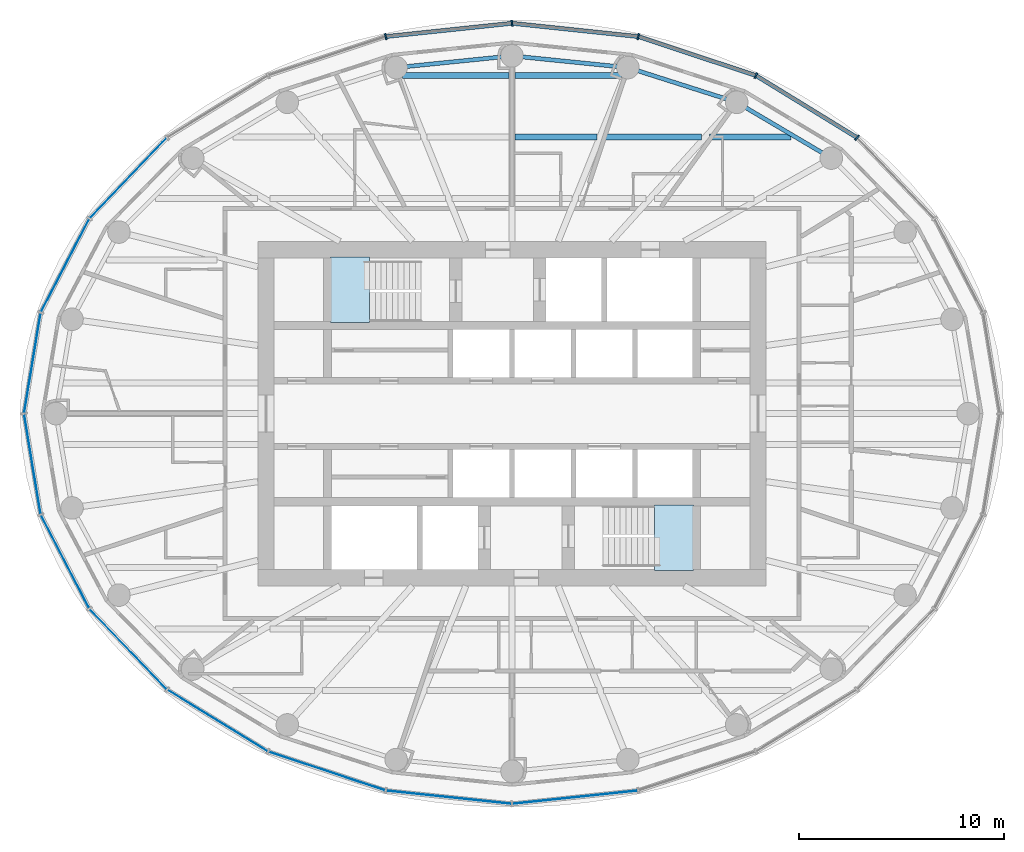
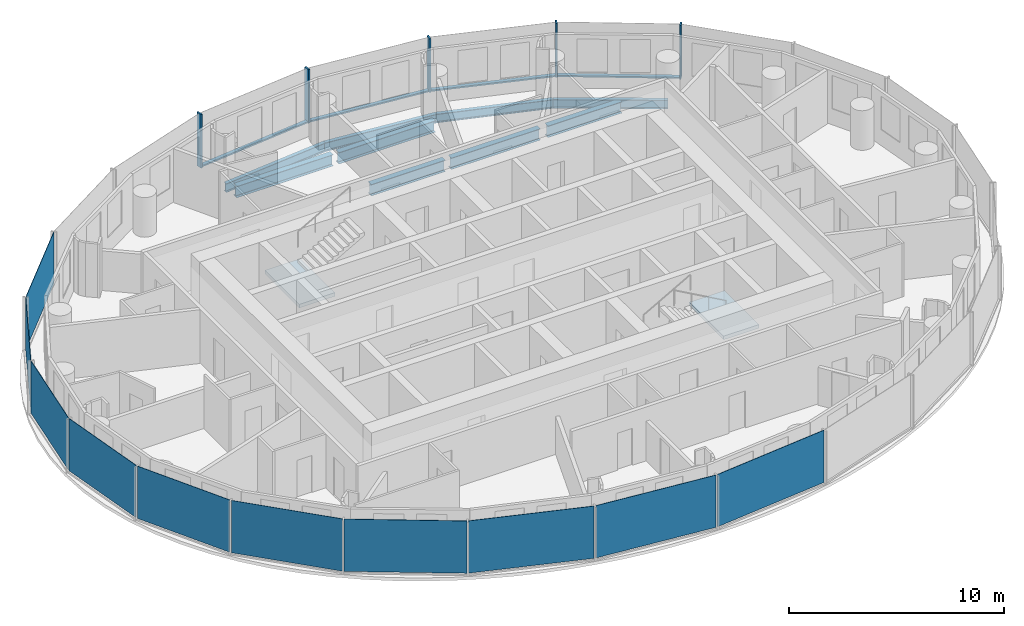
# One storey, part 4 of 14: 10 plates, 9 beams, 9 members, 2 slabs, 6 elements without a shape of their own.
"""IFC4 building model written with IfcOpenShell, lengths in metres."""

import ifcopenshell
import ifcopenshell.guid

model = None  # the IFC model being written
_history = None  # IfcOwnerHistory: only IFC2X3 demands one
_inside = {}  # id of a spatial element -> (the spatial element, [elements in it])
_under = {}  # id of a project, library or spatial element -> (it, [spatial elements below it])
_declared = {}  # id of a project -> (the project, [libraries it declares])
_typed = {}  # id of a type object -> (the type object, [elements of that type])
_made_of = {}  # id of a material, layer set ... -> (it, [elements and type objects made of it])


def new_model(schema):
    """Start an empty IFC model of exactly this schema.

    Asked for "IFC4X3", IfcOpenShell would pick the latest addendum, in which some entities
    have other attributes; the version numbers below select the first issue.
    IFC2X3 requires an IfcOwnerHistory on every rooted entity: one is made here for all.
    """
    global model, _history
    if schema == "IFC4X3":
        model = ifcopenshell.file(schema_version=(4, 3, 0, 0))
    else:
        model = ifcopenshell.file(schema=schema)
    _inside.clear()
    _under.clear()
    _declared.clear()
    _typed.clear()
    _made_of.clear()
    _history = None
    if model.schema == "IFC2X3":
        org = make("IfcOrganization", Name="unknown")
        user = make(
            "IfcPersonAndOrganization",
            ThePerson=make("IfcPerson", FamilyName="unknown"),
            TheOrganization=org,
        )
        app = make(
            "IfcApplication",
            ApplicationDeveloper=org,
            Version="unknown",
            ApplicationFullName="unknown",
            ApplicationIdentifier="unknown",
        )
        _history = make(
            "IfcOwnerHistory",
            OwningUser=user,
            OwningApplication=app,
            ChangeAction="ADDED",
            CreationDate=0,
        )
    return model


def make(cls, **values):
    """One entity of the class cls with the attributes given. An attribute that is None is left unset."""
    return model.create_entity(
        cls, **{name: value for name, value in values.items() if value is not None}
    )


def rooted(cls, **values):
    """An entity with a GlobalId (a new one), such as an element, a storey or a relation."""
    return make(cls, GlobalId=ifcopenshell.guid.new(), OwnerHistory=_history, **values)


def si_unit(unit_type, name, prefix=None):
    """IfcSIUnit, for example si_unit("LENGTHUNIT", "METRE", prefix="MILLI")."""
    return make("IfcSIUnit", UnitType=unit_type, Prefix=prefix, Name=name)


def assignment(units):
    """IfcUnitAssignment: the units of a project."""
    return None if units is None else make("IfcUnitAssignment", Units=units)


def point(xyz):
    """IfcCartesianPoint."""
    return None if xyz is None else make("IfcCartesianPoint", Coordinates=xyz)


def direction(xyz):
    """IfcDirection."""
    return None if xyz is None else make("IfcDirection", DirectionRatios=xyz)


def frame(location, z_axis=None, x_axis=None):
    """IfcAxis2Placement3D, a coordinate frame: its origin and axes. An axis left out is left unset."""
    return make(
        "IfcAxis2Placement3D",
        Location=point(location),
        Axis=direction(z_axis),
        RefDirection=direction(x_axis),
    )


def frame_2d(location, x_axis=None):
    """IfcAxis2Placement2D, a coordinate frame in the plane: its origin and x axis."""
    return make(
        "IfcAxis2Placement2D", Location=point(location), RefDirection=direction(x_axis)
    )


def origin():
    """The frame at (0, 0, 0) with its axes left unset."""
    return frame((0.0, 0.0, 0.0))


def origin_2d():
    """The frame at (0, 0) in the plane with its x axis left unset."""
    return frame_2d((0.0, 0.0))


def place(relative_to, where):
    """IfcLocalPlacement: puts the frame where relative to a parent placement (None: the world)."""
    return make(
        "IfcLocalPlacement", PlacementRelTo=relative_to, RelativePlacement=where
    )


def context(
    kind, dimensions, precision=None, world=None, true_north=None, identifier=None
):
    """IfcGeometricRepresentationContext, for example the 3D "Model" context."""
    return make(
        "IfcGeometricRepresentationContext",
        ContextIdentifier=identifier,
        ContextType=kind,
        CoordinateSpaceDimension=dimensions,
        Precision=precision,
        WorldCoordinateSystem=world,
        TrueNorth=true_north,
    )


def subcontext(parent, identifier, kind, view, scale=None):
    """IfcGeometricRepresentationSubContext, for example "Body" below "Model"."""
    return make(
        "IfcGeometricRepresentationSubContext",
        ContextIdentifier=identifier,
        ContextType=kind,
        ParentContext=parent,
        TargetScale=scale,
        TargetView=view,
    )


def project(units=None, contexts=None):
    """IfcProject with its units and contexts."""
    return rooted(
        "IfcProject",
        Name="project",
        RepresentationContexts=contexts,
        UnitsInContext=assignment(units),
    )


def spatial(cls, under=None, at=None, **own):
    """A site, building, storey or space (cls), placed at a placement, below another one or the project."""
    s = rooted(cls, ObjectPlacement=at, **own)
    if under is not None:
        _under.setdefault(under.id(), (under, []))[1].append(s)
    return s


def polyline(points):
    """IfcPolyline through the points."""
    return make("IfcPolyline", Points=[point(p) for p in points])


def profile(cls, at=None, kind="AREA", **sizes):
    """A parametric profile (cls). Its sizes go by their IFC names, for example OverallWidth=200.0."""
    return make(cls, ProfileType=kind, Position=at, **sizes)


def rectangle(**sizes):
    """IfcRectangleProfileDef."""
    return profile("IfcRectangleProfileDef", **sizes)


def i_section(**sizes):
    """IfcIShapeProfileDef."""
    return profile("IfcIShapeProfileDef", **sizes)


def outline(outer, holes=None, kind="AREA"):
    """IfcArbitraryClosedProfileDef: a profile drawn as a closed curve; with holes, ...WithVoids."""
    if holes is None:
        return make("IfcArbitraryClosedProfileDef", ProfileType=kind, OuterCurve=outer)
    return make(
        "IfcArbitraryProfileDefWithVoids",
        ProfileType=kind,
        OuterCurve=outer,
        InnerCurves=holes,
    )


def extrude(swept, where, along, depth):
    """IfcExtrudedAreaSolid: the profile swept, set in the frame where, extruded along a direction by depth."""
    return make(
        "IfcExtrudedAreaSolid",
        SweptArea=swept,
        Position=where,
        ExtrudedDirection=direction(along),
        Depth=depth,
    )


def shape(context_of_items, identifier, shape_type, items):
    """IfcShapeRepresentation: the items that make up one representation, for example the "Body"."""
    return make(
        "IfcShapeRepresentation",
        ContextOfItems=context_of_items,
        RepresentationIdentifier=identifier,
        RepresentationType=shape_type,
        Items=items,
    )


def material(Name=None, Category=None):
    """IfcMaterial."""
    return make("IfcMaterial", Name=Name, Category=Category)


def layer(
    of_material, thickness, ventilated=None, Name=None, Category=None, Priority=None
):
    """IfcMaterialLayer: one layer of a wall or slab, of a material (None: an air gap)."""
    return make(
        "IfcMaterialLayer",
        Material=of_material,
        LayerThickness=thickness,
        IsVentilated=ventilated,
        Name=Name,
        Category=Category,
        Priority=Priority,
    )


def layer_set(layers, Name=None):
    """IfcMaterialLayerSet."""
    return make("IfcMaterialLayerSet", MaterialLayers=layers, LayerSetName=Name)


def material_profile(
    of_material, cross_section, Name=None, Category=None, Priority=None
):
    """IfcMaterialProfile: a cross section and its material."""
    return make(
        "IfcMaterialProfile",
        Name=Name,
        Material=of_material,
        Profile=cross_section,
        Priority=Priority,
        Category=Category,
    )


def profile_set(profiles, Name=None, composite=None):
    """IfcMaterialProfileSet."""
    return make(
        "IfcMaterialProfileSet",
        Name=Name,
        MaterialProfiles=profiles,
        CompositeProfile=composite,
    )


def made_of(thing, what):
    """Note that an element or type object is made of a material, layer set ...; save() writes the relation."""
    if what is not None:
        _made_of.setdefault(what.id(), (what, []))[1].append(thing)
    return thing


def type_object(cls, material=None, **own):
    """A type object (cls), such as IfcWallType, which elements share."""
    return made_of(rooted(cls, **own), material)


def element(
    cls,
    number,
    at=None,
    inside=None,
    cuts=None,
    type_object=None,
    material=None,
    context=None,
    identifier="Body",
    shape_type=None,
    held_by="IfcProductDefinitionShape",
    body=None,
    shapes=None,
    **own,
):
    """One element of the class cls, such as IfcWall. Its Tag is "e" and its number.

    at: its placement. inside: the storey or other place that contains it. cuts: it is an
    opening in that element (IfcRelVoidsElement). A single representation is given by context,
    identifier, shape_type and body (its items); several are given by shapes. held_by: the class
    of the entity that holds the representations. save() writes the other relations.
    """
    e = rooted(cls, Tag="e%d" % number, ObjectPlacement=at, **own)
    if body is not None:
        shapes = [shape(context, identifier, shape_type, body)]
    if shapes is not None:
        e.Representation = make(held_by, Representations=shapes)
    if inside is not None:
        _inside.setdefault(inside.id(), (inside, []))[1].append(e)
    if cuts is not None:
        rooted(
            "IfcRelVoidsElement", RelatingBuildingElement=cuts, RelatedOpeningElement=e
        )
    if type_object is not None:
        _typed.setdefault(type_object.id(), (type_object, []))[1].append(e)
    return made_of(e, material)


def aggregate(whole, parts):
    """IfcRelAggregates: a whole, such as a stair, and the parts it consists of."""
    return rooted("IfcRelAggregates", RelatingObject=whole, RelatedObjects=parts)


def save(model, path):
    """Write the relations noted so far, then the file.

    IfcRelAggregates (storeys below a building ...), IfcRelContainedInSpatialStructure (elements
    in a storey), IfcRelDefinesByType, IfcRelAssociatesMaterial and IfcRelDeclares: one each for
    every whole, place, type object, material and project.
    """
    for whole, parts in _under.values():
        aggregate(whole, parts)
    for where, things in _inside.values():
        rooted(
            "IfcRelContainedInSpatialStructure",
            RelatedElements=things,
            RelatingStructure=where,
        )
    for kind, things in _typed.values():
        rooted("IfcRelDefinesByType", RelatedObjects=things, RelatingType=kind)
    for what, things in _made_of.values():
        rooted("IfcRelAssociatesMaterial", RelatedObjects=things, RelatingMaterial=what)
    for by, libraries in _declared.values():
        rooted("IfcRelDeclares", RelatingContext=by, RelatedDefinitions=libraries)
    model.write(path)


model = new_model("IFC4")

# Units and contexts
model_context = context("Model", 3, precision=1e-05, world=origin(), true_north=direction((0.0, 1.0)))
body_context = subcontext(model_context, "Body", "Model", "MODEL_VIEW")
ifc_project = project(units=[si_unit("LENGTHUNIT", "METRE"), si_unit("AREAUNIT", "SQUARE_METRE"), si_unit("VOLUMEUNIT", "CUBIC_METRE"), si_unit("PLANEANGLEUNIT", "RADIAN"), si_unit("MASSUNIT", "GRAM", prefix="KILO")], contexts=[model_context])

# Site, building, storey
site_placement = place(None, origin())
site = spatial("IfcSite", under=ifc_project, at=site_placement, CompositionType="ELEMENT")
building_placement = place(site_placement, origin())
building = spatial("IfcBuilding", under=site, at=building_placement, Name="Hankou Lantern Tower", CompositionType="ELEMENT")
storey_placement = place(building_placement, frame((0.0, 0.0, 183.0)))
storey = spatial("IfcBuildingStorey", under=building, at=storey_placement, Name="L49", CompositionType="ELEMENT", Elevation=183.0)

# Beams
ifc_material_1 = material(Name="Steel Q355B", Category="steel")
ifc_material_profile_1 = material_profile(ifc_material_1, i_section(OverallWidth=0.199951171875, OverallDepth=0.5, WebThickness=0.010009765625, FlangeThickness=0.01611328125, FilletRadius=0.012939453125, at=origin_2d()), Name="HN500x200x10x16")
ifc_profile_set_1 = profile_set([ifc_material_profile_1], Name="Steel Q355B")
beam_type_1 = type_object("IfcBeamType", Name="EB5 RING BEAM HN500x200x10x16", PredefinedType="SPANDREL", material=ifc_profile_set_1)
beam_1_placement = place(storey_placement, frame((15.576171875, 12.4609375, -0.429931640625), z_axis=(-0.861135888339, 0.508374843806, 0.0), x_axis=(-0.508374843806, -0.861135888339, 0.0)))
element("IfcBeam", 1, at=beam_1_placement, inside=storey, type_object=beam_type_1, Name="Ring beam R04-R05 L49", PredefinedType="SPANDREL", context=body_context, shape_type="SweptSolid", body=[
    extrude(i_section(OverallWidth=0.199951171875, OverallDepth=0.5, WebThickness=0.010009765625, FlangeThickness=0.01611328125, FilletRadius=0.012939453125, at=origin_2d()), origin(), (0.0, 0.0, 1.0), 5.36083984375),
])
beam_2_placement = place(storey_placement, frame((10.959716796875, 15.186279296875, -0.429931640625), z_axis=(-0.952790404271, 0.30362879562, 0.0), x_axis=(-0.30362879562, -0.952790404271, 0.0)))
element("IfcBeam", 2, at=beam_2_placement, inside=storey, type_object=beam_type_1, Name="Ring beam R05-R06 L49", PredefinedType="SPANDREL", context=body_context, shape_type="SweptSolid", body=[
    extrude(i_section(OverallWidth=0.199951171875, OverallDepth=0.5, WebThickness=0.010009765625, FlangeThickness=0.01611328125, FilletRadius=0.012939453125, at=origin_2d()), origin(), (0.0, 0.0, 1.0), 5.56982421875),
])
for number, where, z_axis, x_axis, name in (
    (3, (5.65283203125, 16.87744140625, -0.429931640625), (-0.9949104636, 0.100762936734, 0.0), (-0.100762936734, -0.9949104636, 0.0), "Ring beam R06-R07 L49"),
    (4, (0.0, 17.449951171875, -0.429931640625), (-0.9949104636, -0.100762936734, 0.0), (0.100762936734, -0.9949104636, 0.0), "Ring beam R07-R08 L49"),
):
    element("IfcBeam", number, at=place(storey_placement, frame(where, z_axis=z_axis, x_axis=x_axis)), inside=storey, type_object=beam_type_1, Name=name, PredefinedType="SPANDREL", context=body_context, shape_type="SweptSolid", body=[
        extrude(i_section(OverallWidth=0.199951171875, OverallDepth=0.5, WebThickness=0.010009765625, FlangeThickness=0.01611328125, FilletRadius=0.012939453125, at=origin_2d()), origin(), (0.0, 0.0, 1.0), 5.681640625),
    ])

# Curtain wall, members
ifc_material_2 = material(Name="Glass, dark grey tinted laminated", Category="glass")
curtain_wall_type = type_object("IfcCurtainWallType", Name="CWC OUTER SKIN HIGH-RISE", PredefinedType="USERDEFINED", material=ifc_material_2)
curtain_wall_1_placement = place(storey_placement, origin())
curtain_wall_1 = element("IfcCurtainWall", 5, at=curtain_wall_1_placement, inside=storey, type_object=curtain_wall_type, Name="CWC L49 OS1", ObjectType="OUTER SKIN HIGH-RISE", PredefinedType="USERDEFINED")
ifc_material_3 = material(Name="Aluminium, black anodised", Category="aluminium")
ifc_material_profile_2 = material_profile(ifc_material_3, rectangle(XDim=0.080078125, YDim=0.300048828125, at=origin_2d()), Name="MU1 80X300")
ifc_profile_set_2 = profile_set([ifc_material_profile_2], Name="Aluminium, black anodised")
member_type_1 = type_object("IfcMemberType", Name="MU1 OUTER SKIN MULLION 80X300", PredefinedType="MULLION", material=ifc_profile_set_2)
member_1_placement = place(storey_placement, frame((16.8291015625, 13.46337890625, 0.0), z_axis=(0.0, 0.0, 1.0), x_axis=(-0.780868809444, 0.624695047553, 0.0)))
member_1 = element("IfcMember", 6, at=member_1_placement, type_object=member_type_1, Name="CWC mullion 4", PredefinedType="MULLION", context=body_context, shape_type="SweptSolid", body=[
    extrude(rectangle(XDim=0.080078125, YDim=0.300048828125, at=origin_2d()), origin(), (0.0, 0.0, 1.0), 3.050048828125),
])
member_2_placement = place(storey_placement, frame((11.89990234375, 16.489013671875, 0.0), z_axis=(0.0, 0.0, 1.0), x_axis=(-0.907841299004, 0.419313934686, 0.0)))
member_2 = element("IfcMember", 7, at=member_2_placement, type_object=member_type_1, Name="CWC mullion 5", PredefinedType="MULLION", context=body_context, shape_type="SweptSolid", body=[
    extrude(rectangle(XDim=0.080078125, YDim=0.300048828125, at=origin_2d()), origin(), (0.0, 0.0, 1.0), 3.050048828125),
])
member_3_placement = place(storey_placement, frame((6.159912109375, 18.39111328125, 0.0), z_axis=(0.0, 0.0, 1.0), x_axis=(-0.977787659625, 0.209597931016, 0.0)))
member_3 = element("IfcMember", 8, at=member_3_placement, type_object=member_type_1, Name="CWC mullion 6", PredefinedType="MULLION", context=body_context, shape_type="SweptSolid", body=[
    extrude(rectangle(XDim=0.080078125, YDim=0.300048828125, at=origin_2d()), origin(), (0.0, 0.0, 1.0), 3.050048828125),
])

curtain_wall_2_placement = place(storey_placement, origin())
curtain_wall_2 = element("IfcCurtainWall", 9, at=curtain_wall_2_placement, inside=storey, type_object=curtain_wall_type, Name="CWC L49 OS2", ObjectType="OUTER SKIN HIGH-RISE", PredefinedType="USERDEFINED")
member_4_placement = place(storey_placement, frame((0.0, 19.0400390625, 0.0), z_axis=(0.0, 0.0, 1.0), x_axis=(-0.994499359107, -0.104742659579, 0.0)))
member_4 = element("IfcMember", 10, at=member_4_placement, type_object=member_type_1, Name="CWC mullion 1", PredefinedType="MULLION", context=body_context, shape_type="SweptSolid", body=[
    extrude(rectangle(XDim=0.080078125, YDim=0.300048828125, at=origin_2d()), origin(), (0.0, 0.0, 1.0), 3.050048828125),
])
member_5_placement = place(storey_placement, frame((-6.159912109375, 18.39111328125, 0.0), z_axis=(0.0, 0.0, 1.0), x_axis=(-0.977787659625, -0.209597931016, 0.0)))
member_5 = element("IfcMember", 11, at=member_5_placement, type_object=member_type_1, Name="CWC mullion 2", PredefinedType="MULLION", context=body_context, shape_type="SweptSolid", body=[
    extrude(rectangle(XDim=0.080078125, YDim=0.300048828125, at=origin_2d()), origin(), (0.0, 0.0, 1.0), 3.050048828125),
])

# Beams
ifc_material_4 = material(Name="Steel Q355B", Category="steel")
ifc_material_profile_3 = material_profile(ifc_material_4, i_section(OverallWidth=0.300048828125, OverallDepth=0.64990234375, WebThickness=0.010986328125, FlangeThickness=0.01708984375, FilletRadius=0.01806640625, at=origin_2d()), Name="HN650x300x11x17")
ifc_profile_set_3 = profile_set([ifc_material_profile_3], Name="Steel Q355B")
beam_type_2 = type_object("IfcBeamType", Name="SB8 SECONDARY BEAM HN650x300x11x17", PredefinedType="JOIST", material=ifc_profile_set_3)
beam_3_placement = place(storey_placement, frame((0.14990234375, 13.5, -0.5048828125), z_axis=(1.0, 0.0, 0.0), x_axis=(0.0, 1.0, 0.0)))
element("IfcBeam", 12, at=beam_3_placement, inside=storey, type_object=beam_type_2, Name="Floor joist J038 L49", PredefinedType="JOIST", context=body_context, shape_type="SweptSolid", body=[
    extrude(i_section(OverallWidth=0.300048828125, OverallDepth=0.64990234375, WebThickness=0.010986328125, FlangeThickness=0.01708984375, FilletRadius=0.01806640625, at=origin_2d()), origin(), (0.0, 0.0, 1.0), 3.986083984375),
])
beam_4_placement = place(storey_placement, frame((4.459228515625, 13.5, -0.5048828125), z_axis=(1.0, 0.0, 0.0), x_axis=(0.0, 1.0, 0.0)))
element("IfcBeam", 13, at=beam_4_placement, inside=storey, type_object=beam_type_2, Name="Floor joist J039 L49", PredefinedType="JOIST", context=body_context, shape_type="SweptSolid", body=[
    extrude(i_section(OverallWidth=0.300048828125, OverallDepth=0.64990234375, WebThickness=0.010986328125, FlangeThickness=0.01708984375, FilletRadius=0.01806640625, at=origin_2d()), origin(), (0.0, 0.0, 1.0), 4.780517578125),
])
beam_5_placement = place(storey_placement, frame((9.643310546875, 13.5, -0.5048828125), z_axis=(1.0, 0.0, 0.0), x_axis=(0.0, 1.0, 0.0)))
element("IfcBeam", 14, at=beam_5_placement, inside=storey, type_object=beam_type_2, Name="Floor joist J040 L49", PredefinedType="JOIST", context=body_context, shape_type="SweptSolid", body=[
    extrude(i_section(OverallWidth=0.300048828125, OverallDepth=0.64990234375, WebThickness=0.010986328125, FlangeThickness=0.01708984375, FilletRadius=0.01806640625, at=origin_2d()), origin(), (0.0, 0.0, 1.0), 3.97607421875),
])
for number, where, z_axis, x_axis, name in (
    (15, (-5.33984375, 16.5, -0.5048828125), (1.0, 0.0, 0.0), (0.0, 1.0, 0.0), "Floor joist J041 L49"),
    (16, (0.14990234375, 16.5, -0.5048828125), (1.0, 0.0, 0.0), (0.0, 1.0, 0.0), "Floor joist J042 L49"),
):
    element("IfcBeam", number, at=place(storey_placement, frame(where, z_axis=z_axis, x_axis=x_axis)), inside=storey, type_object=beam_type_2, Name=name, PredefinedType="JOIST", context=body_context, shape_type="SweptSolid", body=[
        extrude(i_section(OverallWidth=0.300048828125, OverallDepth=0.64990234375, WebThickness=0.010986328125, FlangeThickness=0.01708984375, FilletRadius=0.01806640625, at=origin_2d()), origin(), (0.0, 0.0, 1.0), 5.18994140625),
    ])

# Member
ifc_material_5 = material(Name="Aluminium, black anodised", Category="aluminium")
ifc_material_profile_4 = material_profile(ifc_material_5, rectangle(XDim=0.199951171875, YDim=0.080078125, at=origin_2d()), Name="TR1 200X80")
ifc_profile_set_4 = profile_set([ifc_material_profile_4], Name="Aluminium, black anodised")
member_type_2 = type_object("IfcMemberType", Name="TR1 OUTER SKIN TRANSOM 200X80", PredefinedType="USERDEFINED", material=ifc_profile_set_4)
member_6_placement = place(storey_placement, frame((16.795166015625, 13.484130859375, 0.0400390625), z_axis=(-0.852229482357, 0.523168146394, 0.0), x_axis=(-0.523168146394, -0.852229482357, 0.0)))
member_6 = element("IfcMember", 17, at=member_6_placement, type_object=member_type_2, Name="CWC transom 4", ObjectType="TRANSOM", PredefinedType="USERDEFINED", context=body_context, shape_type="SweptSolid", body=[
    extrude(rectangle(XDim=0.199951171875, YDim=0.080078125, at=origin_2d()), origin(), (0.0, 0.0, 1.0), 5.703857421875),
])

member_7_placement = place(storey_placement, frame((11.862060546875, 16.501708984375, 0.0400390625), z_axis=(-0.949242327551, 0.314545709849, 0.0), x_axis=(-0.314545709849, -0.949242327551, 0.0)))
member_7 = element("IfcMember", 18, at=member_7_placement, type_object=member_type_2, Name="CWC transom 5", ObjectType="TRANSOM", PredefinedType="USERDEFINED", context=body_context, shape_type="SweptSolid", body=[
    extrude(rectangle(XDim=0.199951171875, YDim=0.080078125, at=origin_2d()), origin(), (0.0, 0.0, 1.0), 5.96728515625),
])

member_8_placement = place(storey_placement, frame((6.1201171875, 18.3955078125, 0.0400390625), z_axis=(-0.994499543631, 0.104740907567, 0.0), x_axis=(-0.104740907567, -0.994499543631, 0.0)))
member_8 = element("IfcMember", 19, at=member_8_placement, type_object=member_type_2, Name="CWC transom 6", ObjectType="TRANSOM", PredefinedType="USERDEFINED", context=body_context, shape_type="SweptSolid", body=[
    extrude(rectangle(XDim=0.199951171875, YDim=0.080078125, at=origin_2d()), origin(), (0.0, 0.0, 1.0), 6.114013671875),
])

aggregate(curtain_wall_1, [member_1, member_2, member_3, member_6, member_7, member_8])

member_9_placement = place(storey_placement, frame((-0.039794921875, 19.035888671875, 0.0400390625), z_axis=(-0.994499543631, -0.104740907567, 0.0), x_axis=(0.104740907567, -0.994499543631, 0.0)))
member_9 = element("IfcMember", 20, at=member_9_placement, type_object=member_type_2, Name="CWC transom 1", ObjectType="TRANSOM", PredefinedType="USERDEFINED", context=body_context, shape_type="SweptSolid", body=[
    extrude(rectangle(XDim=0.199951171875, YDim=0.080078125, at=origin_2d()), origin(), (0.0, 0.0, 1.0), 6.114013671875),
])

# Plate
ifc_material_6 = material(Name="Glass, dark grey tinted laminated", Category="glass")
ifc_layer_1 = layer(ifc_material_6, 0.02392578125)
ifc_layer_set_1 = layer_set([ifc_layer_1], Name="Glass, dark grey tinted laminated")
plate_type = type_object("IfcPlateType", Name="PN1 OUTER SKIN GLASS PANEL", PredefinedType="CURTAIN_PANEL", material=ifc_layer_set_1)
plate_1_placement = place(storey_placement, frame((-18.72021484375, 11.49169921875, 0.080078125), z_axis=(0.0, 0.0, 1.0), x_axis=(-0.692215809936, -0.721690565599, 0.0)))
plate_1 = element("IfcPlate", 21, at=plate_1_placement, type_object=plate_type, Name="CWC glass panel 4", PredefinedType="CURTAIN_PANEL", context=body_context, shape_type="SweptSolid", body=[
    extrude(rectangle(XDim=5.384033203125, YDim=0.02392578125, at=origin_2d()), origin(), (0.0, 0.0, 1.0), 2.969970703125),
])

plate_2_placement = place(storey_placement, frame((-21.80029296875, 7.223876953125, 0.080078125), z_axis=(0.0, 0.0, 1.0), x_axis=(-0.459791091957, -0.888027112062, 0.0)))
plate_2 = element("IfcPlate", 22, at=plate_2_placement, type_object=plate_type, Name="CWC glass panel 5", PredefinedType="CURTAIN_PANEL", context=body_context, shape_type="SweptSolid", body=[
    extrude(rectangle(XDim=5.091064453125, YDim=0.02392578125, at=origin_2d()), origin(), (0.0, 0.0, 1.0), 2.969970703125),
])

plate_3_placement = place(storey_placement, frame((-23.39453125, 2.4638671875, 0.080078125), z_axis=(0.0, 0.0, 1.0), x_axis=(-0.162381515188, -0.986728049427, 0.0)))
plate_3 = element("IfcPlate", 23, at=plate_3_placement, type_object=plate_type, Name="CWC glass panel 6", PredefinedType="CURTAIN_PANEL", context=body_context, shape_type="SweptSolid", body=[
    extrude(rectangle(XDim=4.914306640625, YDim=0.02392578125, at=origin_2d()), origin(), (0.0, 0.0, 1.0), 2.969970703125),
])

aggregate(curtain_wall_2, [member_4, member_5, member_9, plate_1, plate_2, plate_3])

# Curtain wall, plates
curtain_wall_3_placement = place(storey_placement, origin())
curtain_wall_3 = element("IfcCurtainWall", 24, at=curtain_wall_3_placement, inside=storey, type_object=curtain_wall_type, Name="CWC L49 OS3", ObjectType="OUTER SKIN HIGH-RISE", PredefinedType="USERDEFINED")
plate_4_placement = place(storey_placement, frame((-23.39453125, -2.4638671875, 0.080078125), z_axis=(0.0, 0.0, 1.0), x_axis=(0.162381515188, -0.986728049427, 0.0)))
plate_4 = element("IfcPlate", 25, at=plate_4_placement, type_object=plate_type, Name="CWC glass panel 1", PredefinedType="CURTAIN_PANEL", context=body_context, shape_type="SweptSolid", body=[
    extrude(rectangle(XDim=4.914306640625, YDim=0.02392578125, at=origin_2d()), origin(), (0.0, 0.0, 1.0), 2.969970703125),
])
plate_5_placement = place(storey_placement, frame((-21.80029296875, -7.223876953125, 0.080078125), z_axis=(0.0, 0.0, 1.0), x_axis=(0.459791091957, -0.888027112062, 0.0)))
plate_5 = element("IfcPlate", 26, at=plate_5_placement, type_object=plate_type, Name="CWC glass panel 2", PredefinedType="CURTAIN_PANEL", context=body_context, shape_type="SweptSolid", body=[
    extrude(rectangle(XDim=5.091064453125, YDim=0.02392578125, at=origin_2d()), origin(), (0.0, 0.0, 1.0), 2.969970703125),
])
plate_6_placement = place(storey_placement, frame((-18.72021484375, -11.49169921875, 0.080078125), z_axis=(0.0, 0.0, 1.0), x_axis=(0.692215809936, -0.721690565599, 0.0)))
plate_6 = element("IfcPlate", 27, at=plate_6_placement, type_object=plate_type, Name="CWC glass panel 3", PredefinedType="CURTAIN_PANEL", context=body_context, shape_type="SweptSolid", body=[
    extrude(rectangle(XDim=5.384033203125, YDim=0.02392578125, at=origin_2d()), origin(), (0.0, 0.0, 1.0), 2.969970703125),
])
plate_7_placement = place(storey_placement, frame((-14.364501953125, -14.976318359375, 0.080078125), z_axis=(0.0, 0.0, 1.0), x_axis=(0.852237151549, -0.523155653242, 0.0)))
plate_7 = element("IfcPlate", 28, at=plate_7_placement, type_object=plate_type, Name="CWC glass panel 4", PredefinedType="CURTAIN_PANEL", context=body_context, shape_type="SweptSolid", body=[
    extrude(rectangle(XDim=5.703857421875, YDim=0.02392578125, at=origin_2d()), origin(), (0.0, 0.0, 1.0), 2.969970703125),
])
plate_8_placement = place(storey_placement, frame((-9.030029296875, -17.440185546875, 0.080078125), z_axis=(0.0, 0.0, 1.0), x_axis=(0.949240677293, -0.31455068999, 0.0)))
plate_8 = element("IfcPlate", 29, at=plate_8_placement, type_object=plate_type, Name="CWC glass panel 5", PredefinedType="CURTAIN_PANEL", context=body_context, shape_type="SweptSolid", body=[
    extrude(rectangle(XDim=5.967041015625, YDim=0.02392578125, at=origin_2d()), origin(), (0.0, 0.0, 1.0), 2.969970703125),
])
plate_9_placement = place(storey_placement, frame((-3.079833984375, -18.715576171875, 0.080078125), z_axis=(0.0, 0.0, 1.0), x_axis=(0.994499359107, -0.104742659579, 0.0)))
plate_9 = element("IfcPlate", 30, at=plate_9_placement, type_object=plate_type, Name="CWC glass panel 6", PredefinedType="CURTAIN_PANEL", context=body_context, shape_type="SweptSolid", body=[
    extrude(rectangle(XDim=6.114013671875, YDim=0.02392578125, at=origin_2d()), origin(), (0.0, 0.0, 1.0), 2.969970703125),
])
aggregate(curtain_wall_3, [plate_4, plate_5, plate_6, plate_7, plate_8, plate_9])

# Curtain wall, plate
curtain_wall_4_placement = place(storey_placement, origin())
curtain_wall_4 = element("IfcCurtainWall", 31, at=curtain_wall_4_placement, inside=storey, type_object=curtain_wall_type, Name="CWC L49 OS4", ObjectType="OUTER SKIN HIGH-RISE", PredefinedType="USERDEFINED")
plate_10_placement = place(storey_placement, frame((3.079833984375, -18.715576171875, 0.080078125), z_axis=(0.0, 0.0, 1.0), x_axis=(0.994499359107, 0.104742659579, 0.0)))
plate_10 = element("IfcPlate", 32, at=plate_10_placement, type_object=plate_type, Name="CWC glass panel 1", PredefinedType="CURTAIN_PANEL", context=body_context, shape_type="SweptSolid", body=[
    extrude(rectangle(XDim=6.114013671875, YDim=0.02392578125, at=origin_2d()), origin(), (0.0, 0.0, 1.0), 2.969970703125),
])
aggregate(curtain_wall_4, [plate_10])

# Stair, slab
ifc_material_7 = material(Name="Concrete C40", Category="concrete")
stair_type = type_object("IfcStairType", Name="ST33 CORE STAIR 3300 RISE", PredefinedType="HALF_TURN_STAIR", material=ifc_material_7)
stair_1_placement = place(storey_placement, origin())
stair_1 = element("IfcStair", 33, at=stair_1_placement, inside=storey, type_object=stair_type, Name="Stair STA L49", PredefinedType="HALF_TURN_STAIR")
ifc_material_8 = material(Name="Concrete C40", Category="concrete")
ifc_layer_2 = layer(ifc_material_8, 0.199951171875)
ifc_layer_set_2 = layer_set([ifc_layer_2], Name="Concrete C40")
slab_type = type_object("IfcSlabType", Name="SL1 STAIR LANDING 200", PredefinedType="LANDING", material=ifc_layer_set_2)
slab_1_placement = place(storey_placement, frame((0.0, 0.0, 1.371337890625)))
slab_1 = element("IfcSlab", 34, at=slab_1_placement, type_object=slab_type, Name="STA landing 1", PredefinedType="LANDING", context=body_context, shape_type="SweptSolid", body=[
    extrude(outline(polyline([(-8.85009765625, 4.449951171875), (-6.949951171875, 4.449951171875), (-6.949951171875, 7.64990234375), (-8.85009765625, 7.64990234375), (-8.85009765625, 4.449951171875)])), origin(), (0.0, 0.0, 1.0), 0.2001953125),
])
aggregate(stair_1, [slab_1])

stair_2_placement = place(storey_placement, origin())
stair_2 = element("IfcStair", 35, at=stair_2_placement, inside=storey, type_object=stair_type, Name="Stair STB L49", PredefinedType="HALF_TURN_STAIR")
slab_2_placement = place(storey_placement, frame((0.0, 0.0, 1.371337890625)))
slab_2 = element("IfcSlab", 36, at=slab_2_placement, type_object=slab_type, Name="STB landing 1", PredefinedType="LANDING", context=body_context, shape_type="SweptSolid", body=[
    extrude(outline(polyline([(8.85009765625, -4.449951171875), (6.949951171875, -4.449951171875), (6.949951171875, -7.64990234375), (8.85009765625, -7.64990234375), (8.85009765625, -4.449951171875)])), origin(), (0.0, 0.0, 1.0), 0.2001953125),
])
aggregate(stair_2, [slab_2])

save(model, "model.ifc")
